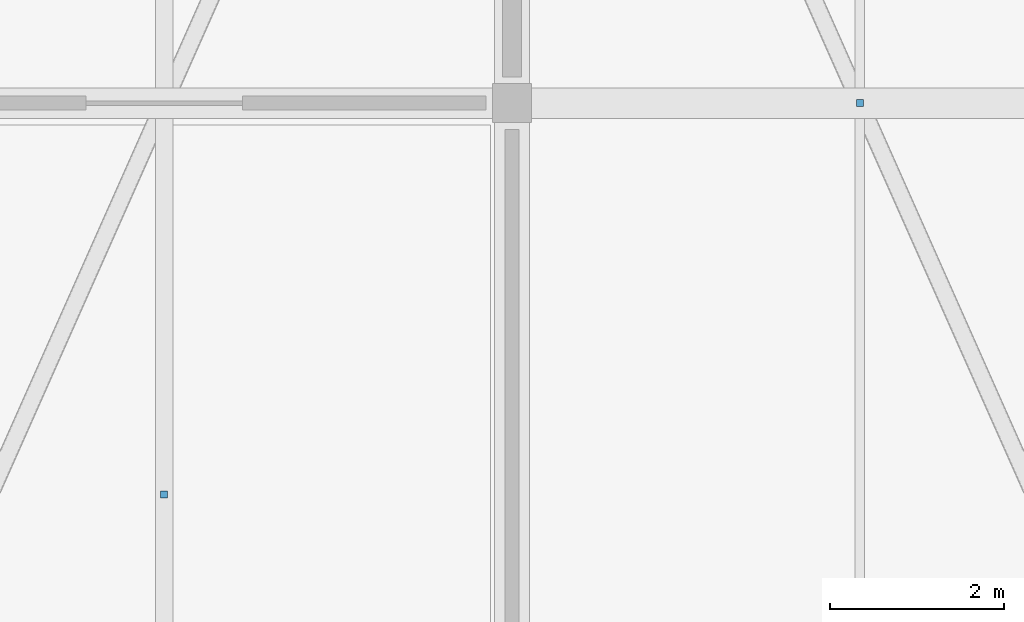
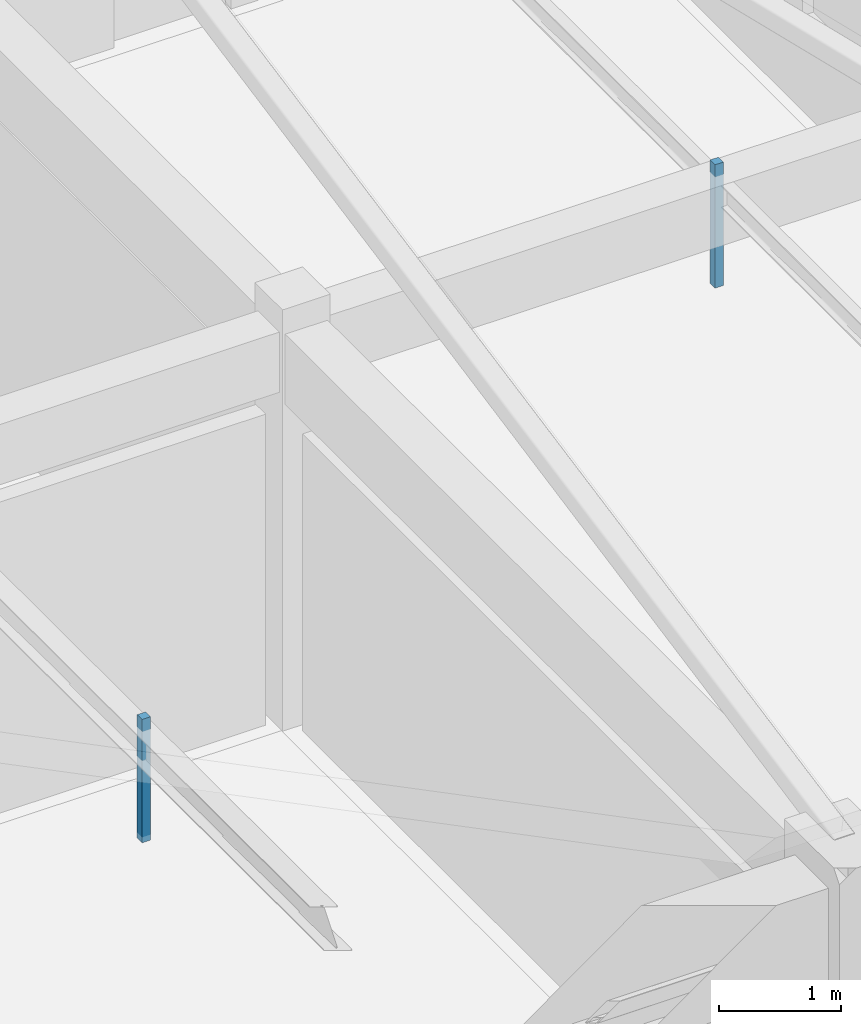
# One storey, part 57 of 63: 2 discrete accessories.
"""IFC4 building model written with IfcOpenShell, lengths in metres."""

from ifc_helpers import new_model, si_unit, direction, frame, origin, origin_2d, place, context, subcontext, project, spatial, rectangle, extrude, material, layer, layer_set, type_object, element, save


model = new_model("IFC4")

# Units and contexts
model_context = context("Model", 3, precision=1e-05, world=origin(), true_north=direction((0.0, 1.0)))
body_context = subcontext(model_context, "Body", "Model", "MODEL_VIEW")
ifc_project = project(units=[si_unit("LENGTHUNIT", "METRE"), si_unit("AREAUNIT", "SQUARE_METRE"), si_unit("VOLUMEUNIT", "CUBIC_METRE"), si_unit("PLANEANGLEUNIT", "RADIAN"), si_unit("MASSUNIT", "GRAM", prefix="KILO")], contexts=[model_context])

# Site, building, storey
site_placement = place(None, origin())
site = spatial("IfcSite", under=ifc_project, at=site_placement, CompositionType="ELEMENT")
building_placement = place(site_placement, origin())
building = spatial("IfcBuilding", under=site, at=building_placement, Name="Varnabhumi Central Station", CompositionType="ELEMENT")
storey_placement = place(building_placement, frame((0.0, 0.0, 20.39990234375)))
storey = spatial("IfcBuildingStorey", under=building, at=storey_placement, Name="L04", CompositionType="ELEMENT", Elevation=20.39990234375)

# Discrete accessories
ifc_material = material(Name="Structural steel E350", Category="steel")
ifc_layer = layer(ifc_material, 0.159912109375, Name="Structural steel E350", Category="steel")
ifc_layer_set = layer_set([ifc_layer], Name="Structural steel E350")
discrete_accessory_type = type_object("IfcDiscreteAccessoryType", Name="ACC-SHADE-BRKT", PredefinedType="BRACKET", material=ifc_layer_set)
for number, where, z_axis, x_axis, name in (
    (1, (84.0, 84.5, 2.840087890625), (0.0, 0.0, 1.0), (1.0, 0.0, 0.0), "Garden Tea Kiosk and Conservatory Ceiling Hanger"),
    (2, (92.0, 89.0, 2.840087890625), (0.0, 0.0, 1.0), (1.0, 0.0, 0.0), "Landscape Maintenance Store Ceiling Hanger"),
):
    element("IfcDiscreteAccessory", number, at=place(storey_placement, frame(where, z_axis=z_axis, x_axis=x_axis)), inside=storey, type_object=discrete_accessory_type, Name=name, PredefinedType="BRACKET", context=body_context, shape_type="SweptSolid", body=[
        extrude(rectangle(XDim=0.080078125, YDim=0.080078125, at=origin_2d()), origin(), (0.0, 0.0, 1.0), 1.22998046875),
    ])

save(model, "model.ifc")
